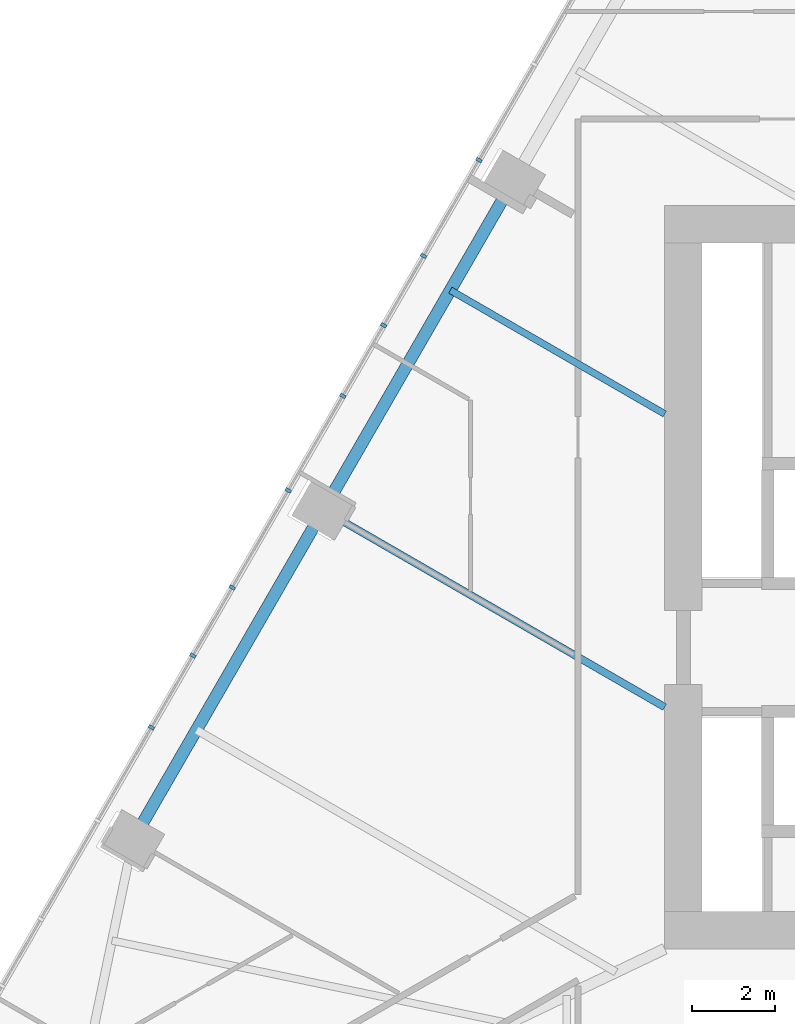
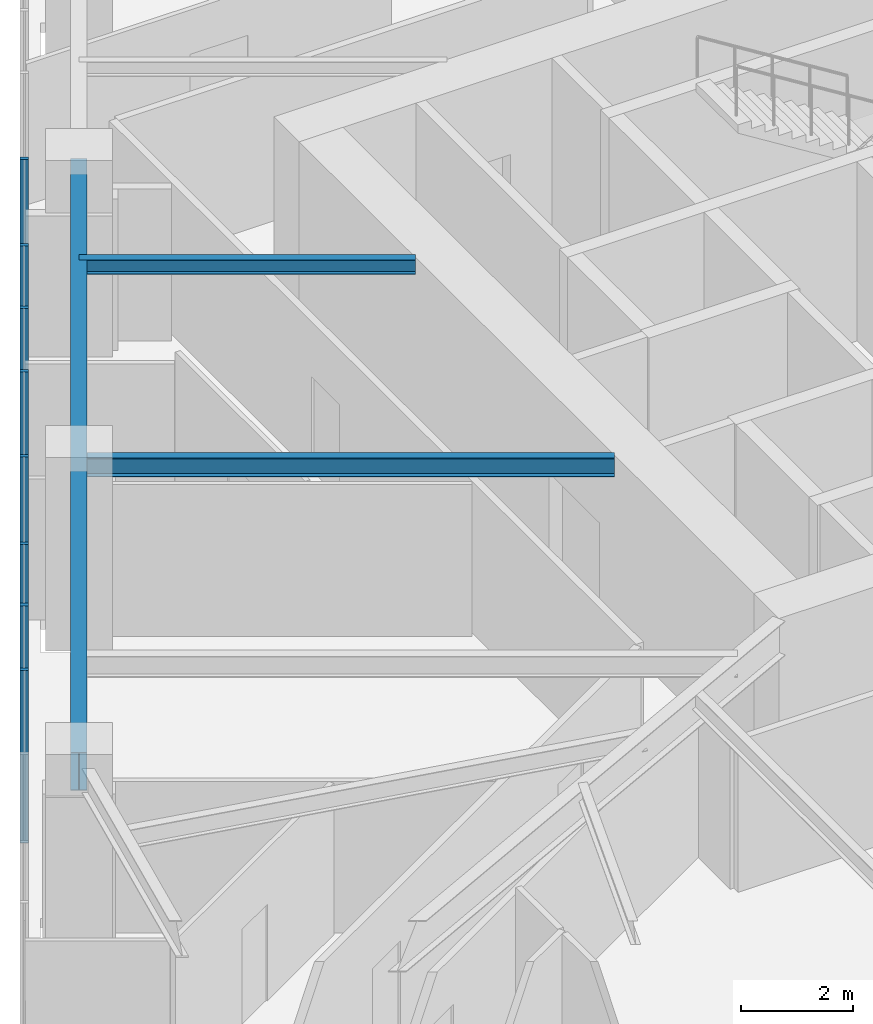
# One storey, part 4 of 19: 8 members, 3 beams, 1 element without a shape of its own.
"""IFC4 building model written with IfcOpenShell, lengths in metres."""

from ifc_helpers import new_model, si_unit, direction, frame, origin, origin_2d, place, context, subcontext, project, spatial, rectangle, i_section, extrude, material, layer, layer_set, material_profile, profile_set, type_object, element, aggregate, save


model = new_model("IFC4")

# Units and contexts
model_context = context("Model", 3, precision=1e-05, world=origin(), true_north=direction((0.0, 1.0)))
body_context = subcontext(model_context, "Body", "Model", "MODEL_VIEW")
ifc_project = project(units=[si_unit("LENGTHUNIT", "METRE"), si_unit("AREAUNIT", "SQUARE_METRE"), si_unit("VOLUMEUNIT", "CUBIC_METRE"), si_unit("PLANEANGLEUNIT", "RADIAN"), si_unit("MASSUNIT", "GRAM", prefix="KILO")], contexts=[model_context])

# Site, building, storey
site_placement = place(None, origin())
site = spatial("IfcSite", under=ifc_project, at=site_placement, CompositionType="ELEMENT")
building_placement = place(site_placement, origin())
building = spatial("IfcBuilding", under=site, at=building_placement, Name="Firuza Gate Tower and Library", CompositionType="ELEMENT")
storey_placement = place(building_placement, frame((0.0, 0.0, 136.60009765625)))
storey = spatial("IfcBuildingStorey", under=building, at=storey_placement, Name="L31", CompositionType="ELEMENT", Elevation=136.60009765625)

# Curtain wall, members
ifc_material_1 = material(Name="Aluminium 6063-T6", Category="aluminium")
ifc_layer = layer(ifc_material_1, 0.14990234375)
ifc_layer_set = layer_set([ifc_layer], Name="Unitised curtain wall, offices")
curtain_wall_type = type_object("IfcCurtainWallType", Name="Unitised curtain wall, offices", PredefinedType="NOTDEFINED", material=ifc_layer_set)
curtain_wall_placement = place(storey_placement, origin())
curtain_wall = element("IfcCurtainWall", 1, at=curtain_wall_placement, inside=storey, type_object=curtain_wall_type, Name="CW1 L31 W face", PredefinedType="NOTDEFINED")
ifc_material_2 = material(Name="Aluminium 6063-T6", Category="aluminium")
ifc_material_profile_1 = material_profile(ifc_material_2, rectangle(XDim=0.14990234375, YDim=0.080078125, at=origin_2d()))
ifc_profile_set_1 = profile_set([ifc_material_profile_1], Name="Aluminium 6063-T6")
member_type = type_object("IfcMemberType", Name="Curtain wall mullion 80x150", PredefinedType="MULLION", material=ifc_profile_set_1)
member_1_placement = place(storey_placement, frame((57.500244140625, 85.103515625, 0.14990234375), z_axis=(0.0, 0.0, 1.0), x_axis=(0.866025403784, -0.5, 0.0)))
member_1 = element("IfcMember", 2, at=member_1_placement, type_object=member_type, Name="Mullion", PredefinedType="MULLION", context=body_context, shape_type="SweptSolid", body=[
    extrude(rectangle(XDim=0.14990234375, YDim=0.080078125, at=origin_2d()), origin(), (0.0, 0.0, 1.0), 3.75),
])
member_2_placement = place(storey_placement, frame((55.19091796875, 81.103515625, 0.14990234375), z_axis=(0.0, 0.0, 1.0), x_axis=(0.866025403784, -0.5, 0.0)))
member_2 = element("IfcMember", 3, at=member_2_placement, type_object=member_type, Name="Mullion", PredefinedType="MULLION", context=body_context, shape_type="SweptSolid", body=[
    extrude(rectangle(XDim=0.14990234375, YDim=0.080078125, at=origin_2d()), origin(), (0.0, 0.0, 1.0), 3.75),
])
member_3_placement = place(storey_placement, frame((52.881591796875, 77.103515625, 0.14990234375), z_axis=(0.0, 0.0, 1.0), x_axis=(0.866025403784, -0.5, 0.0)))
member_3 = element("IfcMember", 4, at=member_3_placement, type_object=member_type, Name="Mullion", PredefinedType="MULLION", context=body_context, shape_type="SweptSolid", body=[
    extrude(rectangle(XDim=0.14990234375, YDim=0.080078125, at=origin_2d()), origin(), (0.0, 0.0, 1.0), 3.75),
])
member_4_placement = place(storey_placement, frame((50.572265625, 73.103515625, 0.14990234375), z_axis=(0.0, 0.0, 1.0), x_axis=(0.866025403784, -0.5, 0.0)))
member_4 = element("IfcMember", 5, at=member_4_placement, type_object=member_type, Name="Mullion", PredefinedType="MULLION", context=body_context, shape_type="SweptSolid", body=[
    extrude(rectangle(XDim=0.14990234375, YDim=0.080078125, at=origin_2d()), origin(), (0.0, 0.0, 1.0), 3.75),
])
member_5_placement = place(storey_placement, frame((56.160400390625, 82.782470703125, 0.14990234375), z_axis=(0.0, 0.0, 1.0), x_axis=(0.866025403784, -0.5, 0.0)))
member_5 = element("IfcMember", 6, at=member_5_placement, type_object=member_type, Name="Mullion", PredefinedType="MULLION", context=body_context, shape_type="SweptSolid", body=[
    extrude(rectangle(XDim=0.14990234375, YDim=0.080078125, at=origin_2d()), origin(), (0.0, 0.0, 1.0), 3.75),
])
member_6_placement = place(storey_placement, frame((54.204345703125, 79.394287109375, 0.14990234375), z_axis=(0.0, 0.0, 1.0), x_axis=(0.866025403784, -0.5, 0.0)))
member_6 = element("IfcMember", 7, at=member_6_placement, type_object=member_type, Name="Mullion", PredefinedType="MULLION", context=body_context, shape_type="SweptSolid", body=[
    extrude(rectangle(XDim=0.14990234375, YDim=0.080078125, at=origin_2d()), origin(), (0.0, 0.0, 1.0), 3.75),
])
member_7_placement = place(storey_placement, frame((51.524169921875, 74.75244140625, 0.14990234375), z_axis=(0.0, 0.0, 1.0), x_axis=(0.866025403784, -0.5, 0.0)))
member_7 = element("IfcMember", 8, at=member_7_placement, type_object=member_type, Name="Mullion", PredefinedType="MULLION", context=body_context, shape_type="SweptSolid", body=[
    extrude(rectangle(XDim=0.14990234375, YDim=0.080078125, at=origin_2d()), origin(), (0.0, 0.0, 1.0), 3.75),
])
member_8_placement = place(storey_placement, frame((49.568115234375, 71.3642578125, 0.14990234375), z_axis=(0.0, 0.0, 1.0), x_axis=(0.866025403784, -0.5, 0.0)))
member_8 = element("IfcMember", 9, at=member_8_placement, type_object=member_type, Name="Mullion", PredefinedType="MULLION", context=body_context, shape_type="SweptSolid", body=[
    extrude(rectangle(XDim=0.14990234375, YDim=0.080078125, at=origin_2d()), origin(), (0.0, 0.0, 1.0), 3.75),
])
aggregate(curtain_wall, [member_1, member_2, member_3, member_4, member_5, member_6, member_7, member_8])

# Beams
ifc_material_3 = material(Name="Steel S355", Category="steel")
ifc_material_profile_2 = material_profile(ifc_material_3, i_section(OverallWidth=0.1650390625, OverallDepth=0.31005859375, WebThickness=0.005859375, FlangeThickness=0.009765625, at=origin_2d()))
ifc_profile_set_2 = profile_set([ifc_material_profile_2], Name="Steel S355")
beam_type_1 = type_object("IfcBeamType", Name="W310x39 Floor beam", PredefinedType="JOIST", material=ifc_profile_set_2)
beam_1_placement = place(storey_placement, frame((56.8076171875, 81.953369140625, 3.744873046875), z_axis=(0.866026911773, -0.499997388079, 0.0), x_axis=(0.499997388079, 0.866026911773, 0.0)))
element("IfcBeam", 10, at=beam_1_placement, inside=storey, type_object=beam_type_1, Name="Floor beam L31 s83", PredefinedType="JOIST", context=body_context, shape_type="SweptSolid", body=[
    extrude(i_section(OverallWidth=0.1650390625, OverallDepth=0.31005859375, WebThickness=0.005859375, FlangeThickness=0.009765625, at=origin_2d()), origin(), (0.0, 0.0, 1.0), 5.99560546875),
])
ifc_material_4 = material(Name="Steel S355", Category="steel")
ifc_material_profile_3 = material_profile(ifc_material_4, i_section(OverallWidth=0.177978515625, OverallDepth=0.406982421875, WebThickness=0.0078125, FlangeThickness=0.0126953125, at=origin_2d()))
ifc_profile_set_3 = profile_set([ifc_material_profile_3], Name="Steel S355")
beam_type_2 = type_object("IfcBeamType", Name="W410x60 Floor beam", PredefinedType="JOIST", material=ifc_profile_set_3)
beam_2_placement = place(storey_placement, frame((53.733154296875, 76.62841796875, 3.6962890625), z_axis=(0.866032684974, -0.499987388398, 0.0), x_axis=(0.499987388398, 0.866032684974, 0.0)))
element("IfcBeam", 11, at=beam_2_placement, inside=storey, type_object=beam_type_2, Name="Floor beam L31 s84", PredefinedType="JOIST", context=body_context, shape_type="SweptSolid", body=[
    extrude(i_section(OverallWidth=0.177978515625, OverallDepth=0.406982421875, WebThickness=0.0078125, FlangeThickness=0.0126953125, at=origin_2d()), origin(), (0.0, 0.0, 1.0), 9.545654296875),
])
ifc_material_5 = material(Name="Steel S355", Category="steel")
ifc_material_profile_4 = material_profile(ifc_material_5, i_section(OverallWidth=0.2919921875, OverallDepth=0.8349609375, WebThickness=0.013916015625, FlangeThickness=0.018798828125, at=origin_2d()))
ifc_profile_set_4 = profile_set([ifc_material_profile_4], Name="Steel S355")
beam_type_3 = type_object("IfcBeamType", Name="W840x176 Edge beam", PredefinedType="SPANDREL", material=ifc_profile_set_4)
beam_3_placement = place(storey_placement, frame((58.3447265625, 84.615966796875, 3.482421875), z_axis=(-0.500002380722, -0.86602402927, 0.0), x_axis=(0.86602402927, -0.500002380722, 0.0)))
element("IfcBeam", 12, at=beam_3_placement, inside=storey, type_object=beam_type_3, Name="Edge beam L31 e82", PredefinedType="SPANDREL", context=body_context, shape_type="SweptSolid", body=[
    extrude(i_section(OverallWidth=0.2919921875, OverallDepth=0.8349609375, WebThickness=0.013916015625, FlangeThickness=0.018798828125, at=origin_2d()), origin(), (0.0, 0.0, 1.0), 18.4462890625),
])

save(model, "model.ifc")
